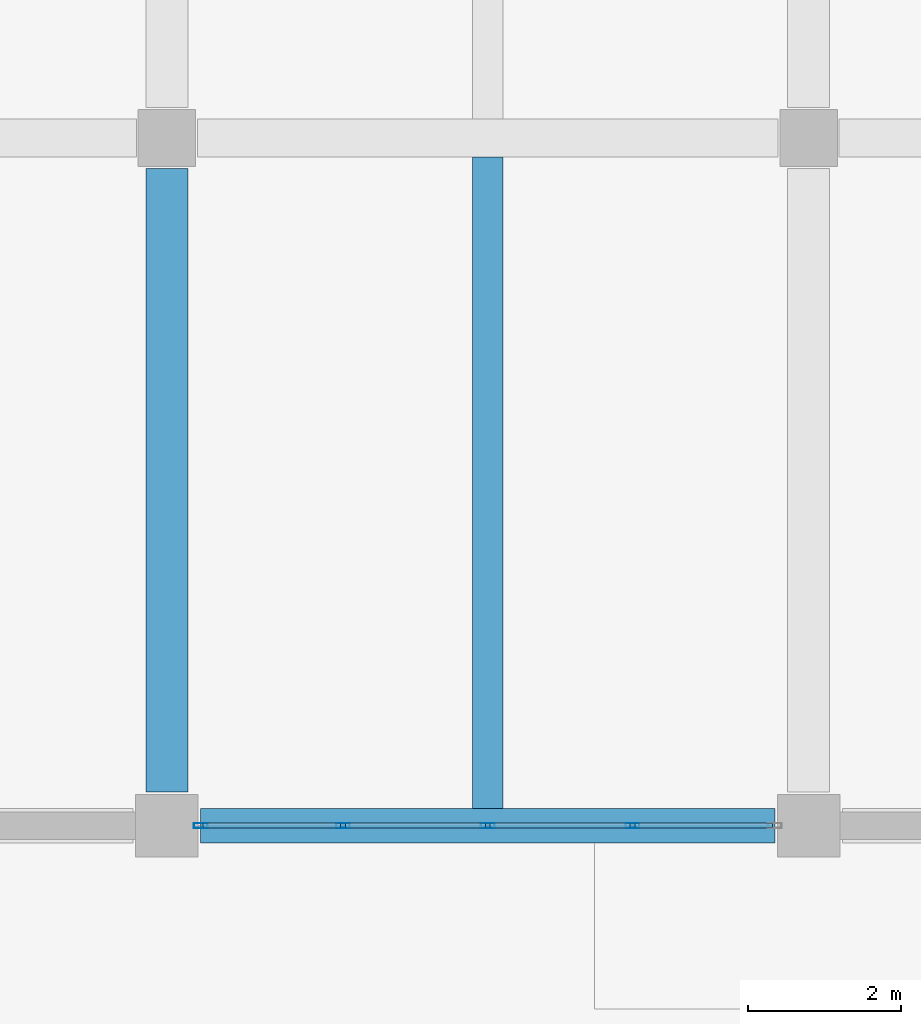
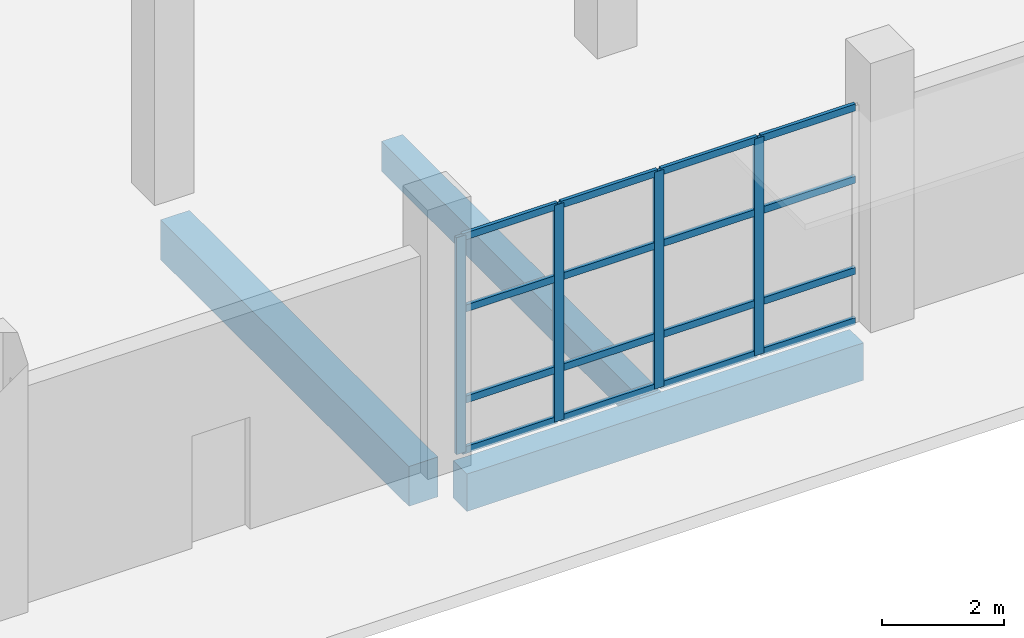
# One storey, part 4 of 78: 20 members, 3 beams, 1 element without a shape of its own.
"""IFC4 building model written with IfcOpenShell, lengths in metres."""

from ifc_helpers import new_model, si_unit, direction, frame, origin, origin_2d, place, context, subcontext, project, spatial, rectangle, hollow_rectangle, extrude, material, material_profile, profile_set, type_object, element, aggregate, save


model = new_model("IFC4")

# Units and contexts
model_context = context("Model", 3, precision=1e-05, world=origin(), true_north=direction((0.0, 1.0)))
body_context = subcontext(model_context, "Body", "Model", "MODEL_VIEW")
ifc_project = project(units=[si_unit("LENGTHUNIT", "METRE"), si_unit("AREAUNIT", "SQUARE_METRE"), si_unit("VOLUMEUNIT", "CUBIC_METRE"), si_unit("PLANEANGLEUNIT", "RADIAN"), si_unit("MASSUNIT", "GRAM", prefix="KILO")], contexts=[model_context])

# Site, building, storey
site_placement = place(None, origin())
site = spatial("IfcSite", under=ifc_project, at=site_placement, CompositionType="ELEMENT")
building_placement = place(site_placement, origin())
building = spatial("IfcBuilding", under=site, at=building_placement, Name="Pellamere Symphony Hall", CompositionType="ELEMENT")
storey_placement = place(building_placement, origin())
storey = spatial("IfcBuildingStorey", under=building, at=storey_placement, Name="L00", CompositionType="ELEMENT", Elevation=0.0)

# Curtain wall, members
ifc_material_1 = material(Name="Thermally Broken Anodised Aluminium 6063-T6 Curtain Wall", Category="aluminium")
curtain_wall_type = type_object("IfcCurtainWallType", Name="Curtain Wall CW-04 (Chamber Music Lobby Curtain Wall)", PredefinedType="NOTDEFINED", material=ifc_material_1)
curtain_wall_placement = place(storey_placement, origin())
curtain_wall = element("IfcCurtainWall", 1, at=curtain_wall_placement, inside=storey, type_object=curtain_wall_type, Name="Chamber Lobby South Curtain Wall (L00 Bay 1)", PredefinedType="NOTDEFINED")
ifc_material_2 = material(Name="Anodised Architectural Aluminium 6063-T6", Category="aluminium")
ifc_material_profile_1 = material_profile(ifc_material_2, hollow_rectangle(XDim=0.06494140625, YDim=0.179931640625, WallThickness=0.00390625, at=origin_2d()), Name="ALU-M65X180X4")
ifc_profile_set_1 = profile_set([ifc_material_profile_1], Name="Anodised Architectural Aluminium 6063-T6")
member_type_1 = type_object("IfcMemberType", Name="Curtain Wall Mullion ML-02 ALU-M65X180X4", PredefinedType="MULLION", material=ifc_profile_set_1)
member_1_placement = place(storey_placement, frame((8.842529296875, 0.0, 0.0), z_axis=(0.0, 0.0, 1.0), x_axis=(0.0, 1.0, 0.0)))
member_1 = element("IfcMember", 2, at=member_1_placement, type_object=member_type_1, Name="CW4-107 crystal mullion 1", PredefinedType="MULLION", context=body_context, shape_type="SweptSolid", body=[
    extrude(hollow_rectangle(XDim=0.06494140625, YDim=0.179931640625, WallThickness=0.00390625, at=origin_2d()), origin(), (0.0, 0.0, 1.0), 4.35009765625),
])
member_2_placement = place(storey_placement, frame((10.705078125, 0.0, 0.0), z_axis=(0.0, 0.0, 1.0), x_axis=(0.0, 1.0, 0.0)))
member_2 = element("IfcMember", 3, at=member_2_placement, type_object=member_type_1, Name="CW4-107 crystal mullion 2", PredefinedType="MULLION", context=body_context, shape_type="SweptSolid", body=[
    extrude(hollow_rectangle(XDim=0.06494140625, YDim=0.179931640625, WallThickness=0.00390625, at=origin_2d()), origin(), (0.0, 0.0, 1.0), 4.35009765625),
])
member_3_placement = place(storey_placement, frame((12.60009765625, 0.0, 0.0), z_axis=(0.0, 0.0, 1.0), x_axis=(0.0, 1.0, 0.0)))
member_3 = element("IfcMember", 4, at=member_3_placement, type_object=member_type_1, Name="CW4-107 crystal mullion 3", PredefinedType="MULLION", context=body_context, shape_type="SweptSolid", body=[
    extrude(hollow_rectangle(XDim=0.06494140625, YDim=0.179931640625, WallThickness=0.00390625, at=origin_2d()), origin(), (0.0, 0.0, 1.0), 4.35009765625),
])
member_4_placement = place(storey_placement, frame((14.4951171875, 0.0, 0.0), z_axis=(0.0, 0.0, 1.0), x_axis=(0.0, 1.0, 0.0)))
member_4 = element("IfcMember", 5, at=member_4_placement, type_object=member_type_1, Name="CW4-107 crystal mullion 4", PredefinedType="MULLION", context=body_context, shape_type="SweptSolid", body=[
    extrude(hollow_rectangle(XDim=0.06494140625, YDim=0.179931640625, WallThickness=0.00390625, at=origin_2d()), origin(), (0.0, 0.0, 1.0), 4.35009765625),
])
ifc_material_profile_2 = material_profile(ifc_material_2, hollow_rectangle(XDim=0.06494140625, YDim=0.139892578125, WallThickness=0.00390625, at=origin_2d()), Name="ALU-T65X140X4")
ifc_profile_set_2 = profile_set([ifc_material_profile_2], Name="Anodised Architectural Aluminium 6063-T6")
member_type_2 = type_object("IfcMemberType", Name="Curtain Wall Transom TR-02 ALU-T65X140X4", PredefinedType="USERDEFINED", material=ifc_profile_set_2)
member_5_placement = place(storey_placement, frame((8.875, 0.0, 0.032470703125), z_axis=(1.0, 0.0, 0.0), x_axis=(0.0, 1.0, 0.0)))
member_5 = element("IfcMember", 6, at=member_5_placement, type_object=member_type_2, Name="CW4-107 crystal transom 1.1", ObjectType="TRANSOM", PredefinedType="USERDEFINED", context=body_context, shape_type="SweptSolid", body=[
    extrude(hollow_rectangle(XDim=0.06494140625, YDim=0.139892578125, WallThickness=0.00390625, at=origin_2d()), origin(), (0.0, 0.0, 1.0), 1.797607421875),
])
member_6_placement = place(storey_placement, frame((8.875, 0.0, 1.0439453125), z_axis=(1.0, 0.0, 0.0), x_axis=(0.0, 1.0, 0.0)))
member_6 = element("IfcMember", 7, at=member_6_placement, type_object=member_type_2, Name="CW4-107 crystal transom 1.2", ObjectType="TRANSOM", PredefinedType="USERDEFINED", context=body_context, shape_type="SweptSolid", body=[
    extrude(hollow_rectangle(XDim=0.06494140625, YDim=0.139892578125, WallThickness=0.00390625, at=origin_2d()), origin(), (0.0, 0.0, 1.0), 1.797607421875),
])
member_7_placement = place(storey_placement, frame((8.875, 0.0, 2.87109375), z_axis=(1.0, 0.0, 0.0), x_axis=(0.0, 1.0, 0.0)))
member_7 = element("IfcMember", 8, at=member_7_placement, type_object=member_type_2, Name="CW4-107 crystal transom 1.3", ObjectType="TRANSOM", PredefinedType="USERDEFINED", context=body_context, shape_type="SweptSolid", body=[
    extrude(hollow_rectangle(XDim=0.06494140625, YDim=0.139892578125, WallThickness=0.00390625, at=origin_2d()), origin(), (0.0, 0.0, 1.0), 1.797607421875),
])
member_8_placement = place(storey_placement, frame((8.875, 0.0, 4.3173828125), z_axis=(1.0, 0.0, 0.0), x_axis=(0.0, 1.0, 0.0)))
member_8 = element("IfcMember", 9, at=member_8_placement, type_object=member_type_2, Name="CW4-107 crystal transom 1.4", ObjectType="TRANSOM", PredefinedType="USERDEFINED", context=body_context, shape_type="SweptSolid", body=[
    extrude(hollow_rectangle(XDim=0.06494140625, YDim=0.139892578125, WallThickness=0.00390625, at=origin_2d()), origin(), (0.0, 0.0, 1.0), 1.797607421875),
])
member_9_placement = place(storey_placement, frame((10.737548828125, 0.0, 0.032470703125), z_axis=(1.0, 0.0, 0.0), x_axis=(0.0, 1.0, 0.0)))
member_9 = element("IfcMember", 10, at=member_9_placement, type_object=member_type_2, Name="CW4-107 crystal transom 2.1", ObjectType="TRANSOM", PredefinedType="USERDEFINED", context=body_context, shape_type="SweptSolid", body=[
    extrude(hollow_rectangle(XDim=0.06494140625, YDim=0.139892578125, WallThickness=0.00390625, at=origin_2d()), origin(), (0.0, 0.0, 1.0), 1.829833984375),
])
member_10_placement = place(storey_placement, frame((10.737548828125, 0.0, 1.0439453125), z_axis=(1.0, 0.0, 0.0), x_axis=(0.0, 1.0, 0.0)))
member_10 = element("IfcMember", 11, at=member_10_placement, type_object=member_type_2, Name="CW4-107 crystal transom 2.2", ObjectType="TRANSOM", PredefinedType="USERDEFINED", context=body_context, shape_type="SweptSolid", body=[
    extrude(hollow_rectangle(XDim=0.06494140625, YDim=0.139892578125, WallThickness=0.00390625, at=origin_2d()), origin(), (0.0, 0.0, 1.0), 1.829833984375),
])
member_11_placement = place(storey_placement, frame((10.737548828125, 0.0, 2.87109375), z_axis=(1.0, 0.0, 0.0), x_axis=(0.0, 1.0, 0.0)))
member_11 = element("IfcMember", 12, at=member_11_placement, type_object=member_type_2, Name="CW4-107 crystal transom 2.3", ObjectType="TRANSOM", PredefinedType="USERDEFINED", context=body_context, shape_type="SweptSolid", body=[
    extrude(hollow_rectangle(XDim=0.06494140625, YDim=0.139892578125, WallThickness=0.00390625, at=origin_2d()), origin(), (0.0, 0.0, 1.0), 1.829833984375),
])
member_12_placement = place(storey_placement, frame((10.737548828125, 0.0, 4.3173828125), z_axis=(1.0, 0.0, 0.0), x_axis=(0.0, 1.0, 0.0)))
member_12 = element("IfcMember", 13, at=member_12_placement, type_object=member_type_2, Name="CW4-107 crystal transom 2.4", ObjectType="TRANSOM", PredefinedType="USERDEFINED", context=body_context, shape_type="SweptSolid", body=[
    extrude(hollow_rectangle(XDim=0.06494140625, YDim=0.139892578125, WallThickness=0.00390625, at=origin_2d()), origin(), (0.0, 0.0, 1.0), 1.829833984375),
])
member_13_placement = place(storey_placement, frame((12.632568359375, 0.0, 0.032470703125), z_axis=(1.0, 0.0, 0.0), x_axis=(0.0, 1.0, 0.0)))
member_13 = element("IfcMember", 14, at=member_13_placement, type_object=member_type_2, Name="CW4-107 crystal transom 3.1", ObjectType="TRANSOM", PredefinedType="USERDEFINED", context=body_context, shape_type="SweptSolid", body=[
    extrude(hollow_rectangle(XDim=0.06494140625, YDim=0.139892578125, WallThickness=0.00390625, at=origin_2d()), origin(), (0.0, 0.0, 1.0), 1.829833984375),
])
member_14_placement = place(storey_placement, frame((12.632568359375, 0.0, 1.0439453125), z_axis=(1.0, 0.0, 0.0), x_axis=(0.0, 1.0, 0.0)))
member_14 = element("IfcMember", 15, at=member_14_placement, type_object=member_type_2, Name="CW4-107 crystal transom 3.2", ObjectType="TRANSOM", PredefinedType="USERDEFINED", context=body_context, shape_type="SweptSolid", body=[
    extrude(hollow_rectangle(XDim=0.06494140625, YDim=0.139892578125, WallThickness=0.00390625, at=origin_2d()), origin(), (0.0, 0.0, 1.0), 1.829833984375),
])
member_15_placement = place(storey_placement, frame((12.632568359375, 0.0, 2.87109375), z_axis=(1.0, 0.0, 0.0), x_axis=(0.0, 1.0, 0.0)))
member_15 = element("IfcMember", 16, at=member_15_placement, type_object=member_type_2, Name="CW4-107 crystal transom 3.3", ObjectType="TRANSOM", PredefinedType="USERDEFINED", context=body_context, shape_type="SweptSolid", body=[
    extrude(hollow_rectangle(XDim=0.06494140625, YDim=0.139892578125, WallThickness=0.00390625, at=origin_2d()), origin(), (0.0, 0.0, 1.0), 1.829833984375),
])
member_16_placement = place(storey_placement, frame((12.632568359375, 0.0, 4.3173828125), z_axis=(1.0, 0.0, 0.0), x_axis=(0.0, 1.0, 0.0)))
member_16 = element("IfcMember", 17, at=member_16_placement, type_object=member_type_2, Name="CW4-107 crystal transom 3.4", ObjectType="TRANSOM", PredefinedType="USERDEFINED", context=body_context, shape_type="SweptSolid", body=[
    extrude(hollow_rectangle(XDim=0.06494140625, YDim=0.139892578125, WallThickness=0.00390625, at=origin_2d()), origin(), (0.0, 0.0, 1.0), 1.829833984375),
])
member_17_placement = place(storey_placement, frame((14.527587890625, 0.0, 0.032470703125), z_axis=(1.0, 0.0, 0.0), x_axis=(0.0, 1.0, 0.0)))
member_17 = element("IfcMember", 18, at=member_17_placement, type_object=member_type_2, Name="CW4-107 crystal transom 4.1", ObjectType="TRANSOM", PredefinedType="USERDEFINED", context=body_context, shape_type="SweptSolid", body=[
    extrude(hollow_rectangle(XDim=0.06494140625, YDim=0.139892578125, WallThickness=0.00390625, at=origin_2d()), origin(), (0.0, 0.0, 1.0), 1.79736328125),
])
member_18_placement = place(storey_placement, frame((14.527587890625, 0.0, 1.0439453125), z_axis=(1.0, 0.0, 0.0), x_axis=(0.0, 1.0, 0.0)))
member_18 = element("IfcMember", 19, at=member_18_placement, type_object=member_type_2, Name="CW4-107 crystal transom 4.2", ObjectType="TRANSOM", PredefinedType="USERDEFINED", context=body_context, shape_type="SweptSolid", body=[
    extrude(hollow_rectangle(XDim=0.06494140625, YDim=0.139892578125, WallThickness=0.00390625, at=origin_2d()), origin(), (0.0, 0.0, 1.0), 1.79736328125),
])
member_19_placement = place(storey_placement, frame((14.527587890625, 0.0, 2.87109375), z_axis=(1.0, 0.0, 0.0), x_axis=(0.0, 1.0, 0.0)))
member_19 = element("IfcMember", 20, at=member_19_placement, type_object=member_type_2, Name="CW4-107 crystal transom 4.3", ObjectType="TRANSOM", PredefinedType="USERDEFINED", context=body_context, shape_type="SweptSolid", body=[
    extrude(hollow_rectangle(XDim=0.06494140625, YDim=0.139892578125, WallThickness=0.00390625, at=origin_2d()), origin(), (0.0, 0.0, 1.0), 1.79736328125),
])
member_20_placement = place(storey_placement, frame((14.527587890625, 0.0, 4.3173828125), z_axis=(1.0, 0.0, 0.0), x_axis=(0.0, 1.0, 0.0)))
member_20 = element("IfcMember", 21, at=member_20_placement, type_object=member_type_2, Name="CW4-107 crystal transom 4.4", ObjectType="TRANSOM", PredefinedType="USERDEFINED", context=body_context, shape_type="SweptSolid", body=[
    extrude(hollow_rectangle(XDim=0.06494140625, YDim=0.139892578125, WallThickness=0.00390625, at=origin_2d()), origin(), (0.0, 0.0, 1.0), 1.79736328125),
])
aggregate(curtain_wall, [member_1, member_2, member_3, member_4, member_5, member_6, member_7, member_8, member_9, member_10, member_11, member_12, member_13, member_14, member_15, member_16, member_17, member_18, member_19, member_20])

# Beams
ifc_material_3 = material(Name="Concrete 40 MPa", Category="concrete")
ifc_material_profile_3 = material_profile(ifc_material_3, rectangle(XDim=0.550048828125, YDim=0.800048828125, at=origin_2d()), Name="RC 550x800")
ifc_profile_set_3 = profile_set([ifc_material_profile_3], Name="Concrete 40 MPa")
beam_type_1 = type_object("IfcBeamType", Name="RC CB-05 550x800", PredefinedType="BEAM", material=ifc_profile_set_3)
beam_1_placement = place(storey_placement, frame((8.39990234375, 0.43994140625, -0.699951171875), z_axis=(0.0, 1.0, 0.0), x_axis=(-1.0, 0.0, 0.0)))
element("IfcBeam", 22, at=beam_1_placement, inside=storey, type_object=beam_type_1, Name="Girder CB-05-Y0204 (L00)", PredefinedType="BEAM", context=body_context, shape_type="SweptSolid", body=[
    extrude(rectangle(XDim=0.550048828125, YDim=0.800048828125, at=origin_2d()), origin(), (0.0, 0.0, 1.0), 8.16015625),
])
ifc_material_profile_4 = material_profile(ifc_material_3, rectangle(XDim=0.39990234375, YDim=0.60009765625, at=origin_2d()), Name="RC 400x600")
ifc_profile_set_4 = profile_set([ifc_material_profile_4], Name="Concrete 40 MPa")
beam_type_2 = type_object("IfcBeamType", Name="RC CB-09 400x600", PredefinedType="BEAM", material=ifc_profile_set_4)
beam_2_placement = place(storey_placement, frame((12.60009765625, 0.22509765625, -0.614990234375), z_axis=(0.0, 1.0, 0.0), x_axis=(-1.0, 0.0, 0.0)))
element("IfcBeam", 23, at=beam_2_placement, inside=storey, type_object=beam_type_2, Name="Secondary Floor Beam CB-09-M0100 (L00)", PredefinedType="BEAM", context=body_context, shape_type="SweptSolid", body=[
    extrude(rectangle(XDim=0.39990234375, YDim=0.60009765625, at=origin_2d()), origin(), (0.0, 0.0, 1.0), 8.52490234375),
])
ifc_material_profile_5 = material_profile(ifc_material_3, rectangle(XDim=0.449951171875, YDim=0.75, at=origin_2d()), Name="RC 450x750")
ifc_profile_set_5 = profile_set([ifc_material_profile_5], Name="Concrete 40 MPa")
beam_type_3 = type_object("IfcBeamType", Name="RC CB-12 450x750", PredefinedType="SPANDREL", material=ifc_profile_set_5)
beam_3_placement = place(storey_placement, frame((8.840087890625, 0.0, -0.675048828125), z_axis=(1.0, 0.0, 0.0), x_axis=(0.0, 1.0, 0.0)))
element("IfcBeam", 24, at=beam_3_placement, inside=storey, type_object=beam_type_3, Name="Girder CB-12-X0002 (L00)", PredefinedType="SPANDREL", context=body_context, shape_type="SweptSolid", body=[
    extrude(rectangle(XDim=0.449951171875, YDim=0.75, at=origin_2d()), origin(), (0.0, 0.0, 1.0), 7.52001953125),
])

save(model, "model.ifc")
